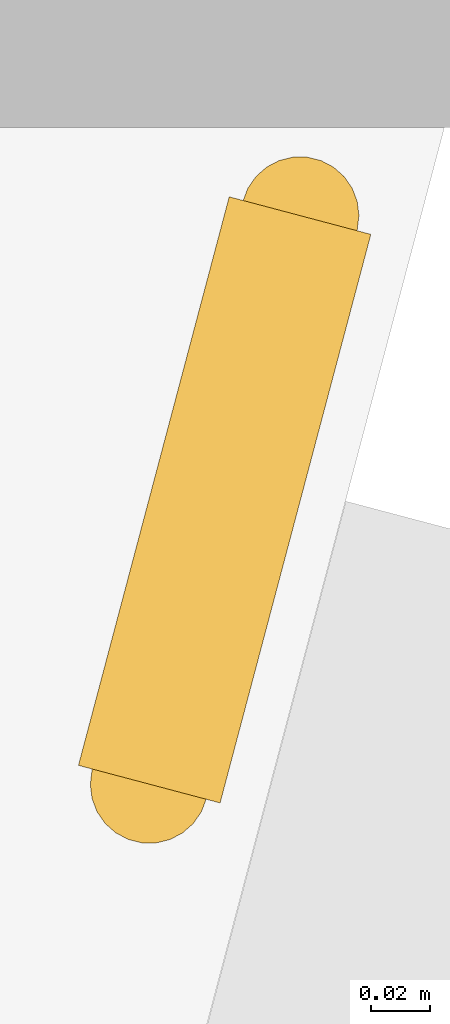
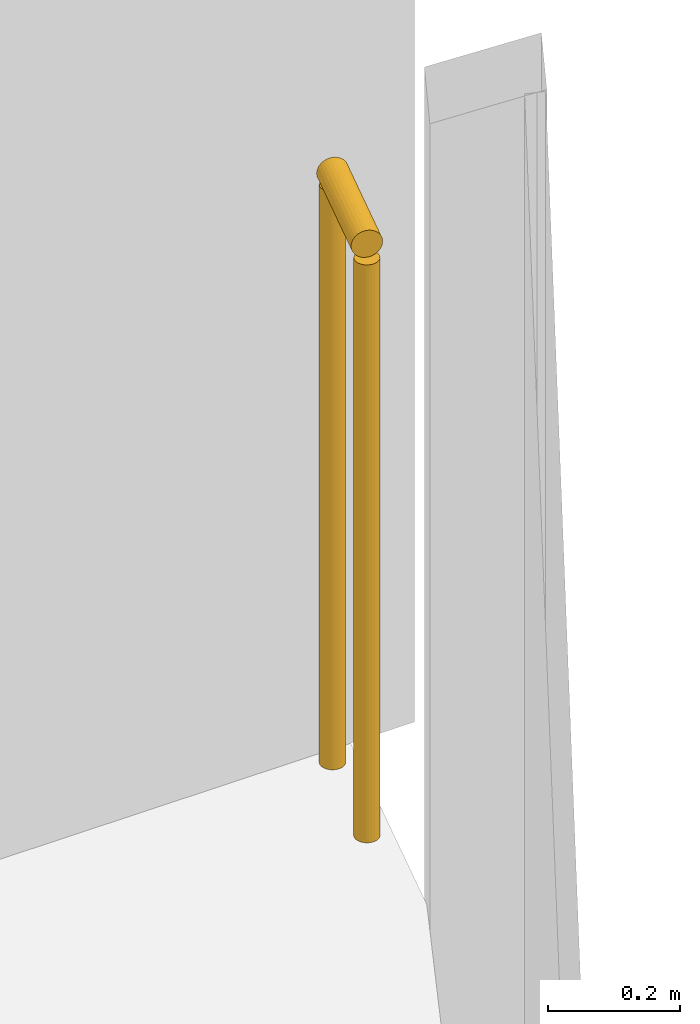
# One storey, part 33 of 34: 1 railing.
"""IFC4 building model written with IfcOpenShell, lengths in metres."""

from ifc_helpers import new_model, si_unit, direction, frame, origin, origin_2d, place, context, subcontext, project, spatial, circle, extrude, material, type_object, element, save


model = new_model("IFC4")

# Units and contexts
model_context = context("Model", 3, precision=1e-05, world=origin(), true_north=direction((0.0, 1.0)))
body_context = subcontext(model_context, "Body", "Model", "MODEL_VIEW")
ifc_project = project(units=[si_unit("LENGTHUNIT", "METRE"), si_unit("AREAUNIT", "SQUARE_METRE"), si_unit("VOLUMEUNIT", "CUBIC_METRE"), si_unit("PLANEANGLEUNIT", "RADIAN"), si_unit("MASSUNIT", "GRAM", prefix="KILO")], contexts=[model_context])

# Site, building, storey
site_placement = place(None, origin())
site = spatial("IfcSite", under=ifc_project, at=site_placement, CompositionType="ELEMENT")
building_placement = place(site_placement, origin())
building = spatial("IfcBuilding", under=site, at=building_placement, Name="Orlundy Tower", CompositionType="ELEMENT")
storey_placement = place(building_placement, frame((0.0, 0.0, 105.699951171875)))
storey = spatial("IfcBuildingStorey", under=building, at=storey_placement, Name="L26", CompositionType="ELEMENT", Elevation=105.699951171875)

# Railing
ifc_material = material(Name="Stainless steel bronze finish", Category="steel")
railing_type = type_object("IfcRailingType", Name="TG1 terrace guard", PredefinedType="GUARDRAIL", material=ifc_material)
railing_placement = place(storey_placement, frame((55.85986328125, -25.241943359375, 0.0)))
element("IfcRailing", 1, at=railing_placement, inside=storey, type_object=railing_type, Name="Guard TG-L26-E00", PredefinedType="GUARDRAIL", context=body_context, shape_type="SweptSolid", body=[
    extrude(circle(Radius=0.02490234375, at=origin_2d()), frame((0.0, 0.0, 1.09521484375), z_axis=(-0.256295080352, -0.966598588757, 0.0), x_axis=(0.966598588757, -0.256295080352, 0.0)), (0.0, 0.0, 1.0), 0.199951171875),
    extrude(circle(Radius=0.02001953125, at=origin_2d()), origin(), (0.0, 0.0, 1.0), 1.070068359375),
    extrude(circle(Radius=0.02001953125, at=origin_2d()), frame((-0.05126953125, -0.193359375, 0.0)), (0.0, 0.0, 1.0), 1.070068359375),
])

save(model, "model.ifc")
